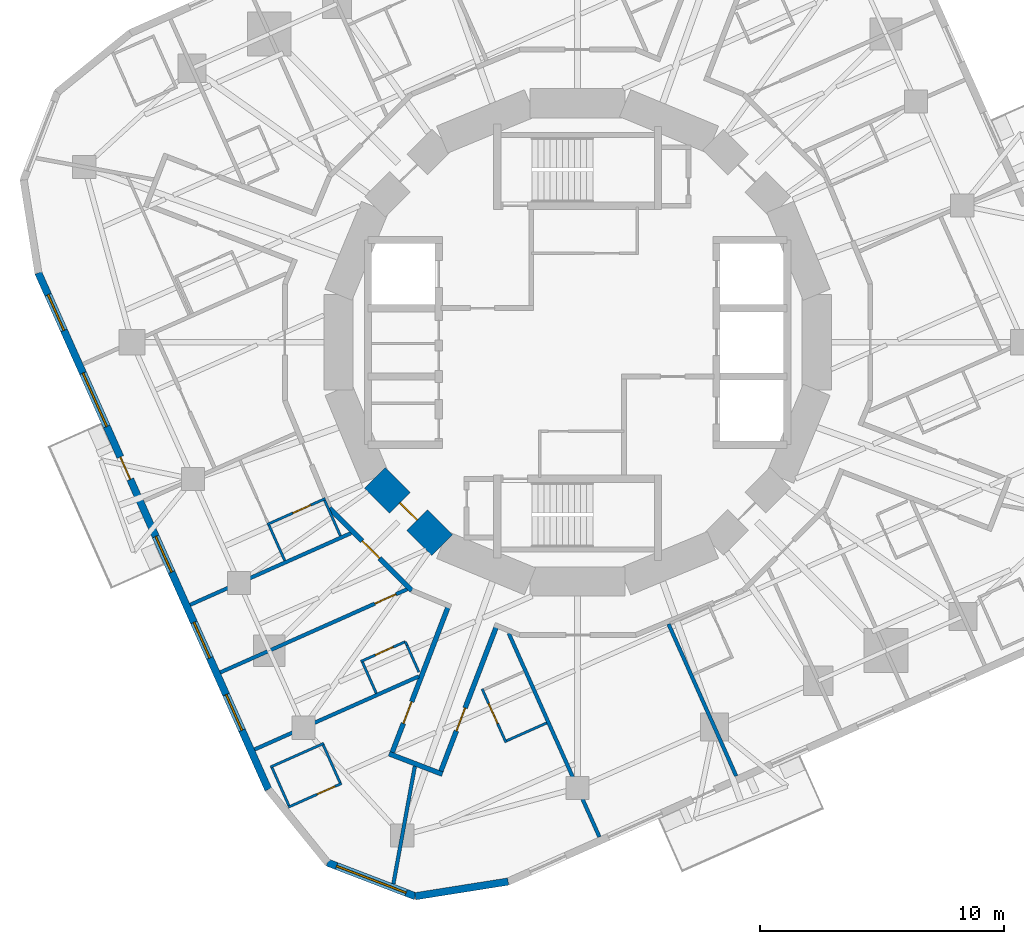
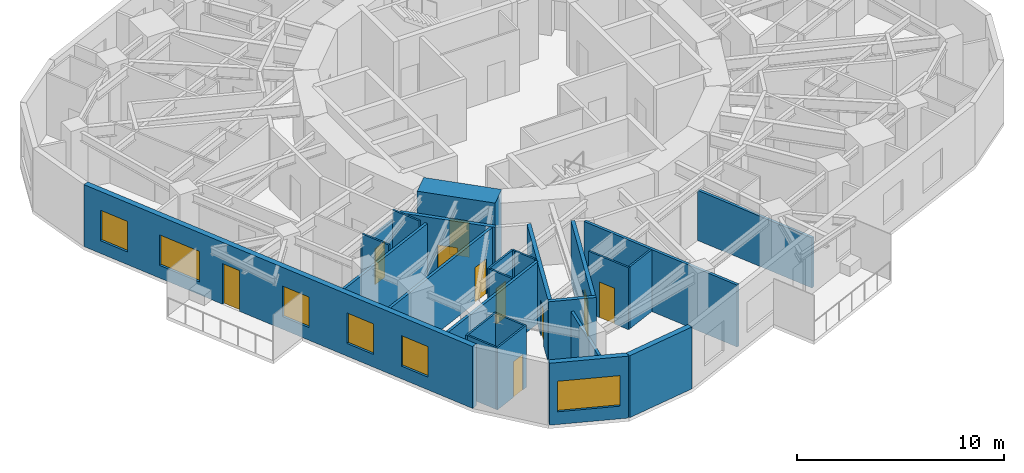
# One storey, part 4 of 12: 27 walls, 10 doors, 6 windows, 16 openings.
"""IFC4 building model written with IfcOpenShell, lengths in metres."""

from ifc_helpers import new_model, si_unit, direction, frame, frame_2d, origin, place, context, subcontext, project, spatial, rectangle, extrude, material, layer, layer_set, type_object, element, fill, save


model = new_model("IFC4")

# Units and contexts
model_context = context("Model", 3, precision=1e-05, world=origin(), true_north=direction((0.0, 1.0)))
body_context = subcontext(model_context, "Body", "Model", "MODEL_VIEW")
ifc_project = project(units=[si_unit("LENGTHUNIT", "METRE"), si_unit("AREAUNIT", "SQUARE_METRE"), si_unit("VOLUMEUNIT", "CUBIC_METRE"), si_unit("PLANEANGLEUNIT", "RADIAN"), si_unit("MASSUNIT", "GRAM", prefix="KILO")], contexts=[model_context])

# Site, building, storey
site_placement = place(None, origin())
site = spatial("IfcSite", under=ifc_project, at=site_placement, CompositionType="ELEMENT")
building_placement = place(site_placement, origin())
building = spatial("IfcBuilding", under=site, at=building_placement, Name="Nakasero Lantern House", CompositionType="ELEMENT")
storey_placement = place(building_placement, frame((0.0, 0.0, 209.39990234375)))
storey = spatial("IfcBuildingStorey", under=building, at=storey_placement, Name="L51", CompositionType="ELEMENT", Elevation=209.39990234375)

# Wall, opening, door
ifc_material_1 = material(Name="Concrete C50/60", Category="concrete")
ifc_layer_1 = layer(ifc_material_1, 1.199951171875)
ifc_layer_set_1 = layer_set([ifc_layer_1], Name="Core wall 1200")
wall_type_1 = type_object("IfcWallType", Name="Core wall 1200", PredefinedType="SHEAR", material=ifc_layer_set_1)
wall_1_placement = place(storey_placement, frame((-8.314697265625, -5.5556640625, 0.0), z_axis=(0.0, 0.0, 1.0), x_axis=(0.707106781187, -0.707106781187, 0.0)))
wall_1 = element("IfcWall", 1, at=wall_1_placement, inside=storey, type_object=wall_type_1, Name="Core wall L51 facet 10", PredefinedType="SHEAR", context=body_context, shape_type="SweptSolid", body=[
    extrude(rectangle(XDim=3.90185546875, YDim=1.199951171875, at=frame_2d((1.950927734375, 0.0))), origin(), (0.0, 0.0, 1.0), 3.85009765625),
])
opening_1_placement = place(wall_1_placement, frame((1.450927734375, 0.0, 0.0)))
opening_1 = element("IfcOpeningElement", 2, at=opening_1_placement, cuts=wall_1, Name="Opening D05", PredefinedType="OPENING", context=body_context, shape_type="SweptSolid", body=[
    extrude(rectangle(XDim=1.0, YDim=2.10009765625, at=frame_2d((0.5, 1.050048828125))), frame((0.0, 0.619873046875, 0.0), z_axis=(0.0, -1.0, 0.0), x_axis=(1.0, 0.0, 0.0)), (0.0, 0.0, 1.0), 1.239990234375),
])
ifc_material_2 = material(Name="Timber C24", Category="wood")
door_type_1 = type_object("IfcDoorType", Name="Core door FD60S 1000", OperationType="SINGLE_SWING_LEFT", PredefinedType="DOOR", material=ifc_material_2)
door_1_placement = place(opening_1_placement, origin())
door_1 = element("IfcDoor", 3, at=door_1_placement, inside=storey, type_object=door_type_1, Name="Door L51 D-CORE10", OperationType="SINGLE_SWING_LEFT", OverallHeight=2.10009765625, OverallWidth=1.0, PredefinedType="DOOR", context=body_context, shape_type="SweptSolid", body=[
    extrude(rectangle(XDim=1.0, YDim=2.10009765625, at=frame_2d((0.5, 1.050048828125))), frame((0.0, 0.02490234375, 0.0), z_axis=(0.0, -1.0, 0.0), x_axis=(1.0, 0.0, 0.0)), (0.0, 0.0, 1.0), 0.050048828125),
])
fill(opening_1, door_1)

ifc_material_3 = material(Name="Blockwork", Category="masonry")
ifc_layer_2 = layer(ifc_material_3, 0.199951171875)
ifc_layer_set_2 = layer_set([ifc_layer_2], Name="Corridor wall 200")
wall_type_2 = type_object("IfcWallType", Name="Corridor wall 200", PredefinedType="PARTITIONING", material=ifc_layer_set_2)
wall_2_placement = place(storey_placement, frame((-6.802001953125, -10.1796875, 0.0), z_axis=(0.0, 0.0, 1.0), x_axis=(-0.707106781187, 0.707106781187, 0.0)))
wall_2 = element("IfcWall", 4, at=wall_2_placement, inside=storey, type_object=wall_type_2, Name="Corridor wall L51 RC06a", PredefinedType="PARTITIONING", context=body_context, shape_type="SweptSolid", body=[
    extrude(rectangle(XDim=4.77685546875, YDim=0.199951171875, at=frame_2d((2.388427734375, 0.0))), origin(), (0.0, 0.0, 1.0), 3.650146484375),
])
opening_2_placement = place(wall_2_placement, frame((1.8701171875, 0.0, 0.0)))
opening_2 = element("IfcOpeningElement", 5, at=opening_2_placement, cuts=wall_2, Name="Opening D14", PredefinedType="OPENING", context=body_context, shape_type="SweptSolid", body=[
    extrude(rectangle(XDim=1.0, YDim=2.10009765625, at=frame_2d((0.5, 1.050048828125))), frame((0.0, 0.119873046875, 0.0), z_axis=(0.0, -1.0, 0.0), x_axis=(1.0, 0.0, 0.0)), (0.0, 0.0, 1.0), 0.239990234375),
])
ifc_material_4 = material(Name="Timber C24", Category="wood")
door_type_2 = type_object("IfcDoorType", Name="Cluster entrance door FD30S 1000", OperationType="SINGLE_SWING_LEFT", PredefinedType="DOOR", material=ifc_material_4)
door_2_placement = place(opening_2_placement, origin())
door_2 = element("IfcDoor", 6, at=door_2_placement, inside=storey, type_object=door_type_2, Name="Door L51 D2-04", OperationType="SINGLE_SWING_LEFT", OverallHeight=2.10009765625, OverallWidth=1.0, PredefinedType="DOOR", context=body_context, shape_type="SweptSolid", body=[
    extrude(rectangle(XDim=1.0, YDim=2.10009765625, at=frame_2d((0.5, 1.050048828125))), frame((0.0, 0.02490234375, 0.0), z_axis=(0.0, -1.0, 0.0), x_axis=(1.0, 0.0, 0.0)), (0.0, 0.0, 1.0), 0.050048828125),
])
fill(opening_2, door_2)

wall_3_placement = place(storey_placement, frame((-5.293701171875, -10.804443359375, 0.0), z_axis=(0.0, 0.0, 1.0), x_axis=(-0.358353547616, -0.933585954752, 0.0)))
wall_3 = element("IfcWall", 7, at=wall_3_placement, inside=storey, type_object=wall_type_2, Name="Corridor wall L51 SP2a", PredefinedType="PARTITIONING", context=body_context, shape_type="SweptSolid", body=[
    extrude(rectangle(XDim=6.643798828125, YDim=0.199951171875, at=frame_2d((3.32177734375, 0.0))), origin(), (0.0, 0.0, 1.0), 3.650146484375),
])
opening_3_placement = place(wall_3_placement, frame((4.219970703125, 0.0, 0.0)))
opening_3 = element("IfcOpeningElement", 8, at=opening_3_placement, cuts=wall_3, Name="Opening D01", PredefinedType="OPENING", context=body_context, shape_type="SweptSolid", body=[
    extrude(rectangle(XDim=0.949951171875, YDim=2.10009765625, at=frame_2d((0.47509765625, 1.050048828125))), frame((0.0, 0.119873046875, 0.0), z_axis=(0.0, -1.0, 0.0), x_axis=(1.0, 0.0, 0.0)), (0.0, 0.0, 1.0), 0.239990234375),
])
ifc_material_5 = material(Name="Timber C24", Category="wood")
door_type_3 = type_object("IfcDoorType", Name="Bedroom door FD30S 950", OperationType="SINGLE_SWING_LEFT", PredefinedType="DOOR", material=ifc_material_5)
door_3_placement = place(opening_3_placement, origin())
door_3 = element("IfcDoor", 9, at=door_3_placement, inside=storey, type_object=door_type_3, Name="Door L51 D2-06", OperationType="SINGLE_SWING_RIGHT", OverallHeight=2.10009765625, OverallWidth=0.949951171875, PredefinedType="DOOR", context=body_context, shape_type="SweptSolid", body=[
    extrude(rectangle(XDim=0.949951171875, YDim=2.10009765625, at=frame_2d((0.47509765625, 1.050048828125))), frame((0.0, 0.02490234375, 0.0), z_axis=(0.0, -1.0, 0.0), x_axis=(1.0, 0.0, 0.0)), (0.0, 0.0, 1.0), 0.050048828125),
])
fill(opening_3, door_3)

wall_4_placement = place(storey_placement, frame((-3.31591796875, -11.623779296875, 0.0), z_axis=(0.0, 0.0, 1.0), x_axis=(-0.358370568903, -0.933579421016, 0.0)))
wall_4 = element("IfcWall", 10, at=wall_4_placement, inside=storey, type_object=wall_type_2, Name="Corridor wall L51 SP2b", PredefinedType="PARTITIONING", context=body_context, shape_type="SweptSolid", body=[
    extrude(rectangle(XDim=6.587646484375, YDim=0.199951171875, at=frame_2d((3.2939453125, 0.0))), origin(), (0.0, 0.0, 1.0), 3.650146484375),
])
opening_4_placement = place(wall_4_placement, frame((3.6201171875, 0.0, 0.0)))
opening_4 = element("IfcOpeningElement", 11, at=opening_4_placement, cuts=wall_4, Name="Opening D07", PredefinedType="OPENING", context=body_context, shape_type="SweptSolid", body=[
    extrude(rectangle(XDim=1.0, YDim=2.10009765625, at=frame_2d((0.5, 1.050048828125))), frame((0.0, 0.119873046875, 0.0), z_axis=(0.0, -1.0, 0.0), x_axis=(1.0, 0.0, 0.0)), (0.0, 0.0, 1.0), 0.239990234375),
])
ifc_material_6 = material(Name="Timber C24", Category="wood")
door_type_4 = type_object("IfcDoorType", Name="Room door FD30S 1000", OperationType="SINGLE_SWING_LEFT", PredefinedType="DOOR", material=ifc_material_6)
door_4_placement = place(opening_4_placement, origin())
door_4 = element("IfcDoor", 12, at=door_4_placement, inside=storey, type_object=door_type_4, Name="Door L51 D3-00", OperationType="SINGLE_SWING_RIGHT", OverallHeight=2.10009765625, OverallWidth=1.0, PredefinedType="DOOR", context=body_context, shape_type="SweptSolid", body=[
    extrude(rectangle(XDim=1.0, YDim=2.10009765625, at=frame_2d((0.5, 1.050048828125))), frame((0.0, 0.02490234375, 0.0), z_axis=(0.0, -1.0, 0.0), x_axis=(1.0, 0.0, 0.0)), (0.0, 0.0, 1.0), 0.050048828125),
])
fill(opening_4, door_4)

# Wall
wall_5_placement = place(storey_placement, frame((-7.73193359375, -16.8779296875, 0.0), z_axis=(0.0, 0.0, 1.0), x_axis=(0.933573982139, -0.35838473722, 0.0)))
element("IfcWall", 13, at=wall_5_placement, inside=storey, type_object=wall_type_2, Name="Corridor wall L51 SP2e", PredefinedType="PARTITIONING", context=body_context, shape_type="SweptSolid", body=[
    extrude(rectangle(XDim=2.340087890625, YDim=0.199951171875, at=frame_2d((1.169921875, 0.0))), origin(), (0.0, 0.0, 1.0), 3.650146484375),
])

# Wall, opening, door
ifc_material_7 = material(Name="Blockwork", Category="masonry")
ifc_layer_3 = layer(ifc_material_7, 0.10009765625)
ifc_layer_set_3 = layer_set([ifc_layer_3], Name="En-suite wall 100")
wall_type_3 = type_object("IfcWallType", Name="En-suite wall 100", PredefinedType="PARTITIONING", material=ifc_layer_set_3)
wall_6_placement = place(storey_placement, frame((-10.353515625, -6.4130859375, 0.0), z_axis=(0.0, 0.0, 1.0), x_axis=(-0.913567433554, -0.406687280781, 0.0)))
wall_6 = element("IfcWall", 14, at=wall_6_placement, inside=storey, type_object=wall_type_3, Name="En-suite wall L51 ES2-03", PredefinedType="PARTITIONING", context=body_context, shape_type="SweptSolid", body=[
    extrude(rectangle(XDim=2.599853515625, YDim=0.10009765625, at=frame_2d((1.2998046875, 0.0))), origin(), (0.0, 0.0, 1.0), 3.037841796875),
])
opening_5_placement = place(wall_6_placement, frame((0.64990234375, 0.0, 0.0)))
opening_5 = element("IfcOpeningElement", 15, at=opening_5_placement, cuts=wall_6, Name="Opening D02", PredefinedType="OPENING", context=body_context, shape_type="SweptSolid", body=[
    extrude(rectangle(XDim=0.800048828125, YDim=2.10009765625, at=frame_2d((0.39990234375, 1.050048828125))), frame((0.0, 0.070068359375, 0.0), z_axis=(0.0, -1.0, 0.0), x_axis=(1.0, 0.0, 0.0)), (0.0, 0.0, 1.0), 0.14013671875),
])
ifc_material_8 = material(Name="Timber C24", Category="wood")
door_type_5 = type_object("IfcDoorType", Name="En-suite door 800", OperationType="SINGLE_SWING_RIGHT", PredefinedType="DOOR", material=ifc_material_8)
door_5_placement = place(opening_5_placement, origin())
door_5 = element("IfcDoor", 16, at=door_5_placement, inside=storey, type_object=door_type_5, Name="Door L51 DE2-03", OperationType="SINGLE_SWING_LEFT", OverallHeight=2.10009765625, OverallWidth=0.800048828125, PredefinedType="DOOR", context=body_context, shape_type="SweptSolid", body=[
    extrude(rectangle(XDim=0.800048828125, YDim=2.10009765625, at=frame_2d((0.39990234375, 1.050048828125))), frame((0.0, 0.02490234375, 0.0), z_axis=(0.0, -1.0, 0.0), x_axis=(1.0, 0.0, 0.0)), (0.0, 0.0, 1.0), 0.050048828125),
])
fill(opening_5, door_5)

# Walls
for number, where, z_axis, x_axis, name in (
    (17, (-12.66259765625, -7.495849609375, 0.0), (0.0, 0.0, 1.0), (0.406662251972, -0.913578575067, 0.0), "En-suite wall L51 EE2-03"),
    (18, (-10.378662109375, -6.47900390625, 0.0), (0.0, 0.0, 1.0), (0.406662251972, -0.913578575067, 0.0), "En-suite wall L51 EI2-03"),
):
    element("IfcWall", number, at=place(storey_placement, frame(where, z_axis=z_axis, x_axis=x_axis)), inside=storey, type_object=wall_type_3, Name=name, PredefinedType="PARTITIONING", context=body_context, shape_type="SweptSolid", body=[
        extrude(rectangle(XDim=1.599853515625, YDim=0.10009765625, at=frame_2d((0.7998046875, 0.0))), origin(), (0.0, 0.0, 1.0), 3.650146484375),
    ])

# Wall, opening, door
wall_7_placement = place(storey_placement, frame((-7.0654296875, -12.280029296875, 0.0), z_axis=(0.0, 0.0, 1.0), x_axis=(-0.913529410294, -0.406772684097, 0.0)))
wall_7 = element("IfcWall", 19, at=wall_7_placement, inside=storey, type_object=wall_type_3, Name="En-suite wall L51 ES2-05", PredefinedType="PARTITIONING", context=body_context, shape_type="SweptSolid", body=[
    extrude(rectangle(XDim=1.999755859375, YDim=0.10009765625, at=frame_2d((1.0, 0.0))), origin(), (0.0, 0.0, 1.0), 3.650146484375),
])
opening_6_placement = place(wall_7_placement, frame((0.550048828125, 0.0, 0.0)))
opening_6 = element("IfcOpeningElement", 20, at=opening_6_placement, cuts=wall_7, Name="Opening D02", PredefinedType="OPENING", context=body_context, shape_type="SweptSolid", body=[
    extrude(rectangle(XDim=0.800048828125, YDim=2.10009765625, at=frame_2d((0.39990234375, 1.050048828125))), frame((0.0, 0.070068359375, 0.0), z_axis=(0.0, -1.0, 0.0), x_axis=(1.0, 0.0, 0.0)), (0.0, 0.0, 1.0), 0.14013671875),
])
door_6_placement = place(opening_6_placement, origin())
door_6 = element("IfcDoor", 21, at=door_6_placement, inside=storey, type_object=door_type_5, Name="Door L51 DE2-05", OperationType="SINGLE_SWING_LEFT", OverallHeight=2.10009765625, OverallWidth=0.800048828125, PredefinedType="DOOR", context=body_context, shape_type="SweptSolid", body=[
    extrude(rectangle(XDim=0.800048828125, YDim=2.10009765625, at=frame_2d((0.39990234375, 1.050048828125))), frame((0.0, 0.02490234375, 0.0), z_axis=(0.0, -1.0, 0.0), x_axis=(1.0, 0.0, 0.0)), (0.0, 0.0, 1.0), 0.050048828125),
])
fill(opening_6, door_6)

# Wall
wall_8_placement = place(storey_placement, frame((-8.826416015625, -13.118896484375, 0.0), z_axis=(0.0, 0.0, 1.0), x_axis=(0.406656150203, -0.91358129113, 0.0)))
element("IfcWall", 22, at=wall_8_placement, inside=storey, type_object=wall_type_3, Name="En-suite wall L51 EE2-05", PredefinedType="PARTITIONING", context=body_context, shape_type="SweptSolid", body=[
    extrude(rectangle(XDim=1.400146484375, YDim=0.10009765625, at=frame_2d((0.7001953125, 0.0))), origin(), (0.0, 0.0, 1.0), 3.650146484375),
])

# Wall, opening, door
wall_9_placement = place(storey_placement, frame((-9.676025390625, -18.0947265625, 0.0), z_axis=(0.0, 0.0, 1.0), x_axis=(-0.913568090055, -0.406685806039, 0.0)))
wall_9 = element("IfcWall", 23, at=wall_9_placement, inside=storey, type_object=wall_type_3, Name="En-suite wall L51 ES2-06", PredefinedType="PARTITIONING", context=body_context, shape_type="SweptSolid", body=[
    extrude(rectangle(XDim=2.400146484375, YDim=0.10009765625, at=frame_2d((1.2001953125, 0.0))), origin(), (0.0, 0.0, 1.0), 3.650146484375),
])
opening_7_placement = place(wall_9_placement, frame((0.300048828125, 0.0, 0.0)))
opening_7 = element("IfcOpeningElement", 24, at=opening_7_placement, cuts=wall_9, Name="Opening D02", PredefinedType="OPENING", context=body_context, shape_type="SweptSolid", body=[
    extrude(rectangle(XDim=0.800048828125, YDim=2.10009765625, at=frame_2d((0.39990234375, 1.050048828125))), frame((0.0, 0.070068359375, 0.0), z_axis=(0.0, -1.0, 0.0), x_axis=(1.0, 0.0, 0.0)), (0.0, 0.0, 1.0), 0.14013671875),
])
door_7_placement = place(opening_7_placement, origin())
door_7 = element("IfcDoor", 25, at=door_7_placement, inside=storey, type_object=door_type_5, Name="Door L51 DE2-06", OperationType="SINGLE_SWING_LEFT", OverallHeight=2.10009765625, OverallWidth=0.800048828125, PredefinedType="DOOR", context=body_context, shape_type="SweptSolid", body=[
    extrude(rectangle(XDim=0.800048828125, YDim=2.10009765625, at=frame_2d((0.39990234375, 1.050048828125))), frame((0.0, 0.02490234375, 0.0), z_axis=(0.0, -1.0, 0.0), x_axis=(1.0, 0.0, 0.0)), (0.0, 0.0, 1.0), 0.050048828125),
])
fill(opening_7, door_7)

# Walls
wall_10_placement = place(storey_placement, frame((-10.408203125, -16.4501953125, 0.0), z_axis=(0.0, 0.0, 1.0), x_axis=(-0.913513461389, -0.406808500233, 0.0)))
element("IfcWall", 26, at=wall_10_placement, inside=storey, type_object=wall_type_3, Name="En-suite wall L51 EV2-06", PredefinedType="PARTITIONING", context=body_context, shape_type="SweptSolid", body=[
    extrude(rectangle(XDim=2.39990234375, YDim=0.10009765625, at=frame_2d((1.199951171875, 0.0))), origin(), (0.0, 0.0, 1.0), 3.650146484375),
])
wall_11_placement = place(storey_placement, frame((-12.53466796875, -17.45166015625, 0.0), z_axis=(0.0, 0.0, 1.0), x_axis=(0.406671340378, -0.91357452948, 0.0)))
element("IfcWall", 27, at=wall_11_placement, inside=storey, type_object=wall_type_3, Name="En-suite wall L51 EE2-06", PredefinedType="PARTITIONING", context=body_context, shape_type="SweptSolid", body=[
    extrude(rectangle(XDim=1.7001953125, YDim=0.10009765625, at=frame_2d((0.85009765625, 0.0))), origin(), (0.0, 0.0, 1.0), 3.650146484375),
])
wall_12_placement = place(storey_placement, frame((-10.43359375, -16.516357421875, 0.0), z_axis=(0.0, 0.0, 1.0), x_axis=(0.406724697108, -0.913550776237, 0.0)))
element("IfcWall", 28, at=wall_12_placement, inside=storey, type_object=wall_type_3, Name="En-suite wall L51 EI2-06", PredefinedType="PARTITIONING", context=body_context, shape_type="SweptSolid", body=[
    extrude(rectangle(XDim=1.699951171875, YDim=0.10009765625, at=frame_2d((0.85009765625, 0.0))), origin(), (0.0, 0.0, 1.0), 3.650146484375),
])

# Wall, opening, door
wall_13_placement = place(storey_placement, frame((-3.914306640625, -14.2216796875, 0.0), z_axis=(0.0, 0.0, 1.0), x_axis=(0.406723602621, -0.913551263516, 0.0)))
wall_13 = element("IfcWall", 29, at=wall_13_placement, inside=storey, type_object=wall_type_3, Name="En-suite wall L51 ES3-00", PredefinedType="PARTITIONING", context=body_context, shape_type="SweptSolid", body=[
    extrude(rectangle(XDim=2.39990234375, YDim=0.10009765625, at=frame_2d((1.199951171875, 0.0))), origin(), (0.0, 0.0, 1.0), 3.650146484375),
])
opening_8_placement = place(wall_13_placement, frame((0.64990234375, 0.0, 0.0)))
opening_8 = element("IfcOpeningElement", 30, at=opening_8_placement, cuts=wall_13, Name="Opening D16", PredefinedType="OPENING", context=body_context, shape_type="SweptSolid", body=[
    extrude(rectangle(XDim=0.89990234375, YDim=2.10009765625, at=frame_2d((0.449951171875, 1.050048828125))), frame((0.0, 0.070068359375, 0.0), z_axis=(0.0, -1.0, 0.0), x_axis=(1.0, 0.0, 0.0)), (0.0, 0.0, 1.0), 0.14013671875),
])
ifc_material_9 = material(Name="Timber C24", Category="wood")
door_type_6 = type_object("IfcDoorType", Name="Accessible WC door 900", OperationType="SINGLE_SWING_RIGHT", PredefinedType="DOOR", material=ifc_material_9)
door_8_placement = place(opening_8_placement, origin())
door_8 = element("IfcDoor", 31, at=door_8_placement, inside=storey, type_object=door_type_6, Name="Door L51 DE3-00", OperationType="SINGLE_SWING_LEFT", OverallHeight=2.10009765625, OverallWidth=0.89990234375, PredefinedType="DOOR", context=body_context, shape_type="SweptSolid", body=[
    extrude(rectangle(XDim=0.89990234375, YDim=2.10009765625, at=frame_2d((0.449951171875, 1.050048828125))), frame((0.0, 0.02490234375, 0.0), z_axis=(0.0, -1.0, 0.0), x_axis=(1.0, 0.0, 0.0)), (0.0, 0.0, 1.0), 0.050048828125),
])
fill(opening_8, door_8)

# Walls
wall_14_placement = place(storey_placement, frame((-2.912841796875, -16.34814453125, 0.0), z_axis=(0.0, 0.0, 1.0), x_axis=(0.913548502595, 0.406729803932, 0.0)))
element("IfcWall", 32, at=wall_14_placement, inside=storey, type_object=wall_type_3, Name="En-suite wall L51 EE3-00", PredefinedType="PARTITIONING", context=body_context, shape_type="SweptSolid", body=[
    extrude(rectangle(XDim=1.800048828125, YDim=0.10009765625, at=frame_2d((0.89990234375, 0.0))), origin(), (0.0, 0.0, 1.0), 3.650146484375),
])
wall_15_placement = place(storey_placement, frame((-6.510009765625, -13.527099609375, 0.0), z_axis=(0.0, 0.0, 1.0), x_axis=(-0.406815070933, 0.913510535277, 0.0)))
element("IfcWall", 33, at=wall_15_placement, inside=storey, type_object=wall_type_3, Name="En-suite wall L51 EX002", PredefinedType="PARTITIONING", context=body_context, shape_type="SweptSolid", body=[
    extrude(rectangle(XDim=1.205078125, YDim=0.10009765625, at=frame_2d((0.6025390625, 0.0))), origin(), (0.0, 0.0, 1.0), 3.650146484375),
])
wall_16_placement = place(storey_placement, frame((-7.0654296875, -12.280029296875, 0.0), z_axis=(0.0, 0.0, 1.0), x_axis=(0.407128578538, -0.913370855971, 0.0)))
element("IfcWall", 34, at=wall_16_placement, inside=storey, type_object=wall_type_3, Name="En-suite wall L51 ES2-05R0", PredefinedType="PARTITIONING", context=body_context, shape_type="SweptSolid", body=[
    extrude(rectangle(XDim=0.16015625, YDim=0.10009765625, at=frame_2d((0.080078125, 0.0))), origin(), (0.0, 0.0, 1.0), 3.650146484375),
])

# Wall, openings, door, windows
ifc_material_10 = material(Name="Aluminium rainscreen on blockwork", Category="masonry")
ifc_layer_4 = layer(ifc_material_10, 0.300048828125)
ifc_layer_set_4 = layer_set([ifc_layer_4], Name="Facade wall 300")
wall_type_4 = type_object("IfcWallType", Name="Facade wall 300", PredefinedType="SOLIDWALL", material=ifc_layer_set_4)
wall_17_placement = place(storey_placement, frame((-22.12109375, 2.848876953125, 0.0), z_axis=(0.0, 0.0, 1.0), x_axis=(0.406734951338, -0.913546210851, 0.0)))
wall_17 = element("IfcWall", 35, at=wall_17_placement, inside=storey, type_object=wall_type_4, Name="Facade wall L51 FW2S", PredefinedType="SOLIDWALL", context=body_context, shape_type="SweptSolid", body=[
    extrude(rectangle(XDim=23.199951171875, YDim=0.300048828125, at=frame_2d((11.60009765625, 0.0))), origin(), (0.0, 0.0, 1.0), 3.650146484375),
])
opening_9_placement = place(wall_17_placement, frame((0.982421875, 0.0, 0.75)))
opening_9 = element("IfcOpeningElement", 36, at=opening_9_placement, cuts=wall_17, Name="Opening W01", PredefinedType="OPENING", context=body_context, shape_type="SweptSolid", body=[
    extrude(rectangle(XDim=1.60009765625, YDim=1.800048828125, at=frame_2d((0.800048828125, 0.89990234375))), frame((0.0, 0.169921875, 0.0), z_axis=(0.0, -1.0, 0.0), x_axis=(1.0, 0.0, 0.0)), (0.0, 0.0, 1.0), 0.340087890625),
])
opening_10_placement = place(wall_17_placement, frame((11.83984375, 0.0, 0.75)))
opening_10 = element("IfcOpeningElement", 37, at=opening_10_placement, cuts=wall_17, Name="Opening W01", PredefinedType="OPENING", context=body_context, shape_type="SweptSolid", body=[
    extrude(rectangle(XDim=1.60009765625, YDim=1.800048828125, at=frame_2d((0.800048828125, 0.89990234375))), frame((0.0, 0.169921875, 0.0), z_axis=(0.0, -1.0, 0.0), x_axis=(1.0, 0.0, 0.0)), (0.0, 0.0, 1.0), 0.340087890625),
])
opening_11_placement = place(wall_17_placement, frame((15.69140625, 0.0, 0.75)))
opening_11 = element("IfcOpeningElement", 38, at=opening_11_placement, cuts=wall_17, Name="Opening W01", PredefinedType="OPENING", context=body_context, shape_type="SweptSolid", body=[
    extrude(rectangle(XDim=1.60009765625, YDim=1.800048828125, at=frame_2d((0.800048828125, 0.89990234375))), frame((0.0, 0.169921875, 0.0), z_axis=(0.0, -1.0, 0.0), x_axis=(1.0, 0.0, 0.0)), (0.0, 0.0, 1.0), 0.340087890625),
])
opening_12_placement = place(wall_17_placement, frame((18.940185546875, 0.0, 0.75)))
opening_12 = element("IfcOpeningElement", 39, at=opening_12_placement, cuts=wall_17, Name="Opening W01", PredefinedType="OPENING", context=body_context, shape_type="SweptSolid", body=[
    extrude(rectangle(XDim=1.60009765625, YDim=1.800048828125, at=frame_2d((0.800048828125, 0.89990234375))), frame((0.0, 0.169921875, 0.0), z_axis=(0.0, -1.0, 0.0), x_axis=(1.0, 0.0, 0.0)), (0.0, 0.0, 1.0), 0.340087890625),
])
opening_13_placement = place(wall_17_placement, frame((4.500244140625, 0.0, 0.75)))
opening_13 = element("IfcOpeningElement", 40, at=opening_13_placement, cuts=wall_17, Name="Opening W03", PredefinedType="OPENING", context=body_context, shape_type="SweptSolid", body=[
    extrude(rectangle(XDim=2.39990234375, YDim=1.800048828125, at=frame_2d((1.199951171875, 0.89990234375))), frame((0.0, 0.169921875, 0.0), z_axis=(0.0, -1.0, 0.0), x_axis=(1.0, 0.0, 0.0)), (0.0, 0.0, 1.0), 0.340087890625),
])
opening_14_placement = place(wall_17_placement, frame((8.271484375, 0.0, 0.0)))
opening_14 = element("IfcOpeningElement", 41, at=opening_14_placement, cuts=wall_17, Name="Opening D04", PredefinedType="OPENING", context=body_context, shape_type="SweptSolid", body=[
    extrude(rectangle(XDim=1.0, YDim=2.39990234375, at=frame_2d((0.5, 1.199951171875))), frame((0.0, 0.169921875, 0.0), z_axis=(0.0, -1.0, 0.0), x_axis=(1.0, 0.0, 0.0)), (0.0, 0.0, 1.0), 0.340087890625),
])
ifc_material_11 = material(Name="Aluminium 6063-T6 and glass", Category="aluminium")
door_type_7 = type_object("IfcDoorType", Name="Balcony door 1000x2400", OperationType="SINGLE_SWING_RIGHT", PredefinedType="DOOR", material=ifc_material_11)
door_9_placement = place(opening_14_placement, origin())
door_9 = element("IfcDoor", 42, at=door_9_placement, inside=storey, type_object=door_type_7, Name="Balcony door L51 DB2", OperationType="SINGLE_SWING_RIGHT", OverallHeight=2.39990234375, OverallWidth=1.0, PredefinedType="DOOR", context=body_context, shape_type="SweptSolid", body=[
    extrude(rectangle(XDim=1.0, YDim=2.39990234375, at=frame_2d((0.5, 1.199951171875))), frame((0.0, 0.02490234375, 0.0), z_axis=(0.0, -1.0, 0.0), x_axis=(1.0, 0.0, 0.0)), (0.0, 0.0, 1.0), 0.050048828125),
])
fill(opening_14, door_9)
ifc_material_12 = material(Name="Aluminium 6063-T6 and glass", Category="aluminium")
window_type_1 = type_object("IfcWindowType", Name="Bedroom window 1600x1800", PartitioningType="SINGLE_PANEL", PredefinedType="WINDOW", material=ifc_material_12)
window_1_placement = place(opening_9_placement, origin())
window_1 = element("IfcWindow", 43, at=window_1_placement, inside=storey, type_object=window_type_1, Name="Window L51 WN2-00", OverallHeight=1.800048828125, OverallWidth=1.60009765625, PartitioningType="SINGLE_PANEL", PredefinedType="WINDOW", context=body_context, shape_type="SweptSolid", body=[
    extrude(rectangle(XDim=1.60009765625, YDim=1.800048828125, at=frame_2d((0.800048828125, 0.89990234375))), frame((0.0, 0.030029296875, 0.0), z_axis=(0.0, -1.0, 0.0), x_axis=(1.0, 0.0, 0.0)), (0.0, 0.0, 1.0), 0.06005859375),
])
fill(opening_9, window_1)
window_2_placement = place(opening_10_placement, origin())
window_2 = element("IfcWindow", 44, at=window_2_placement, inside=storey, type_object=window_type_1, Name="Window L51 WN2-03", OverallHeight=1.800048828125, OverallWidth=1.60009765625, PartitioningType="SINGLE_PANEL", PredefinedType="WINDOW", context=body_context, shape_type="SweptSolid", body=[
    extrude(rectangle(XDim=1.60009765625, YDim=1.800048828125, at=frame_2d((0.800048828125, 0.89990234375))), frame((0.0, 0.030029296875, 0.0), z_axis=(0.0, -1.0, 0.0), x_axis=(1.0, 0.0, 0.0)), (0.0, 0.0, 1.0), 0.06005859375),
])
fill(opening_10, window_2)
window_3_placement = place(opening_11_placement, origin())
window_3 = element("IfcWindow", 45, at=window_3_placement, inside=storey, type_object=window_type_1, Name="Window L51 WN2-04", OverallHeight=1.800048828125, OverallWidth=1.60009765625, PartitioningType="SINGLE_PANEL", PredefinedType="WINDOW", context=body_context, shape_type="SweptSolid", body=[
    extrude(rectangle(XDim=1.60009765625, YDim=1.800048828125, at=frame_2d((0.800048828125, 0.89990234375))), frame((0.0, 0.030029296875, 0.0), z_axis=(0.0, -1.0, 0.0), x_axis=(1.0, 0.0, 0.0)), (0.0, 0.0, 1.0), 0.06005859375),
])
fill(opening_11, window_3)
window_4_placement = place(opening_12_placement, origin())
window_4 = element("IfcWindow", 46, at=window_4_placement, inside=storey, type_object=window_type_1, Name="Window L51 WN2-05", OverallHeight=1.800048828125, OverallWidth=1.60009765625, PartitioningType="SINGLE_PANEL", PredefinedType="WINDOW", context=body_context, shape_type="SweptSolid", body=[
    extrude(rectangle(XDim=1.60009765625, YDim=1.800048828125, at=frame_2d((0.800048828125, 0.89990234375))), frame((0.0, 0.030029296875, 0.0), z_axis=(0.0, -1.0, 0.0), x_axis=(1.0, 0.0, 0.0)), (0.0, 0.0, 1.0), 0.06005859375),
])
fill(opening_12, window_4)
ifc_material_13 = material(Name="Aluminium 6063-T6 and glass", Category="aluminium")
window_type_2 = type_object("IfcWindowType", Name="Lounge window 2400x1800", PartitioningType="SINGLE_PANEL", PredefinedType="WINDOW", material=ifc_material_13)
window_5_placement = place(opening_13_placement, origin())
window_5 = element("IfcWindow", 47, at=window_5_placement, inside=storey, type_object=window_type_2, Name="Window L51 WK2", OverallHeight=1.800048828125, OverallWidth=2.39990234375, PartitioningType="SINGLE_PANEL", PredefinedType="WINDOW", context=body_context, shape_type="SweptSolid", body=[
    extrude(rectangle(XDim=2.39990234375, YDim=1.800048828125, at=frame_2d((1.199951171875, 0.89990234375))), frame((0.0, 0.030029296875, 0.0), z_axis=(0.0, -1.0, 0.0), x_axis=(1.0, 0.0, 0.0)), (0.0, 0.0, 1.0), 0.06005859375),
])
fill(opening_13, window_5)

# Wall, opening, window
wall_18_placement = place(storey_placement, frame((-10.258056640625, -21.342529296875, 0.0), z_axis=(0.0, 0.0, 1.0), x_axis=(0.933598278948, -0.358321438858, 0.0)))
wall_18 = element("IfcWall", 48, at=wall_18_placement, inside=storey, type_object=wall_type_4, Name="Facade wall L51 FW2C2", PredefinedType="SOLIDWALL", context=body_context, shape_type="SweptSolid", body=[
    extrude(rectangle(XDim=3.8564453125, YDim=0.300048828125, at=frame_2d((1.92822265625, 0.0))), origin(), (0.0, 0.0, 1.0), 3.650146484375),
])
opening_15_placement = place(wall_18_placement, frame((0.39990234375, 0.0, 0.75)))
opening_15 = element("IfcOpeningElement", 49, at=opening_15_placement, cuts=wall_18, Name="Opening W230", PredefinedType="OPENING", context=body_context, shape_type="SweptSolid", body=[
    extrude(rectangle(XDim=3.055908203125, YDim=1.800048828125, at=frame_2d((1.52783203125, 0.89990234375))), frame((0.0, 0.169921875, 0.0), z_axis=(0.0, -1.0, 0.0), x_axis=(1.0, 0.0, 0.0)), (0.0, 0.0, 1.0), 0.340087890625),
])
ifc_material_14 = material(Name="Aluminium 6063-T6 and glass", Category="aluminium")
window_type_3 = type_object("IfcWindowType", Name="Corner window 3056x1800", PartitioningType="SINGLE_PANEL", PredefinedType="WINDOW", material=ifc_material_14)
window_6_placement = place(opening_15_placement, origin())
window_6 = element("IfcWindow", 50, at=window_6_placement, inside=storey, type_object=window_type_3, Name="Window L51 WC2", OverallHeight=1.800048828125, OverallWidth=3.055908203125, PartitioningType="SINGLE_PANEL", PredefinedType="WINDOW", context=body_context, shape_type="SweptSolid", body=[
    extrude(rectangle(XDim=3.055908203125, YDim=1.800048828125, at=frame_2d((1.52783203125, 0.89990234375))), frame((0.0, 0.030029296875, 0.0), z_axis=(0.0, -1.0, 0.0), x_axis=(1.0, 0.0, 0.0)), (0.0, 0.0, 1.0), 0.06005859375),
])
fill(opening_15, window_6)

# Walls
wall_19_placement = place(storey_placement, frame((-6.65771484375, -22.724365234375, 0.0), z_axis=(0.0, 0.0, 1.0), x_axis=(0.987687906802, 0.156437203878, 0.0)))
element("IfcWall", 51, at=wall_19_placement, inside=storey, type_object=wall_type_4, Name="Facade wall L51 FW2C3", PredefinedType="SOLIDWALL", context=body_context, shape_type="SweptSolid", body=[
    extrude(rectangle(XDim=3.856201171875, YDim=0.300048828125, at=frame_2d((1.92822265625, 0.0))), origin(), (0.0, 0.0, 1.0), 3.650146484375),
])
ifc_material_15 = material(Name="Blockwork", Category="masonry")
ifc_layer_5 = layer(ifc_material_15, 0.14990234375)
ifc_layer_set_5 = layer_set([ifc_layer_5], Name="Party wall 150")
wall_type_5 = type_object("IfcWallType", Name="Party wall 150", PredefinedType="PARTITIONING", material=ifc_layer_set_5)
wall_20_placement = place(storey_placement, frame((-9.293701171875, -7.829345703125, 0.0), z_axis=(0.0, 0.0, 1.0), x_axis=(-0.913535447493, -0.406759125496, 0.0)))
element("IfcWall", 52, at=wall_20_placement, inside=storey, type_object=wall_type_5, Name="Party wall L51 PW2-04", PredefinedType="PARTITIONING", context=body_context, shape_type="SweptSolid", body=[
    extrude(rectangle(XDim=7.225341796875, YDim=0.14990234375, at=frame_2d((3.61279296875, 0.0))), origin(), (0.0, 0.0, 1.0), 3.295166015625),
])

# Wall, opening, door
wall_21_placement = place(storey_placement, frame((-6.99267578125, -10.130615234375, 0.0), z_axis=(0.0, 0.0, 1.0), x_axis=(-0.913547411288, -0.406732255089, 0.0)))
wall_21 = element("IfcWall", 53, at=wall_21_placement, inside=storey, type_object=wall_type_5, Name="Party wall L51 PW2-05", PredefinedType="PARTITIONING", context=body_context, shape_type="SweptSolid", body=[
    extrude(rectangle(XDim=8.3916015625, YDim=0.14990234375, at=frame_2d((4.19580078125, 0.0))), origin(), (0.0, 0.0, 1.0), 3.650146484375),
])
opening_16_placement = place(wall_21_placement, frame((0.5, 0.0, 0.0)))
opening_16 = element("IfcOpeningElement", 54, at=opening_16_placement, cuts=wall_21, Name="Opening D01", PredefinedType="OPENING", context=body_context, shape_type="SweptSolid", body=[
    extrude(rectangle(XDim=0.949951171875, YDim=2.10009765625, at=frame_2d((0.47509765625, 1.050048828125))), frame((0.0, 0.094970703125, 0.0), z_axis=(0.0, -1.0, 0.0), x_axis=(1.0, 0.0, 0.0)), (0.0, 0.0, 1.0), 0.18994140625),
])
door_10_placement = place(opening_16_placement, origin())
door_10 = element("IfcDoor", 55, at=door_10_placement, inside=storey, type_object=door_type_3, Name="Door L51 DS2-05", OperationType="SINGLE_SWING_LEFT", OverallHeight=2.10009765625, OverallWidth=0.949951171875, PredefinedType="DOOR", context=body_context, shape_type="SweptSolid", body=[
    extrude(rectangle(XDim=0.949951171875, YDim=2.10009765625, at=frame_2d((0.47509765625, 1.050048828125))), frame((0.0, 0.02490234375, 0.0), z_axis=(0.0, -1.0, 0.0), x_axis=(1.0, 0.0, 0.0)), (0.0, 0.0, 1.0), 0.050048828125),
])
fill(opening_16, door_10)

# Walls
wall_22_placement = place(storey_placement, frame((-6.513671875, -13.70361328125, 0.0), z_axis=(0.0, 0.0, 1.0), x_axis=(-0.913543815508, -0.406740331351, 0.0)))
element("IfcWall", 56, at=wall_22_placement, inside=storey, type_object=wall_type_5, Name="Party wall L51 PW2-06", PredefinedType="PARTITIONING", context=body_context, shape_type="SweptSolid", body=[
    extrude(rectangle(XDim=7.375732421875, YDim=0.14990234375, at=frame_2d((3.68798828125, 0.0))), origin(), (0.0, 0.0, 1.0), 3.650146484375),
])
wall_23_placement = place(storey_placement, frame((-6.675537109375, -17.390625, 0.0), z_axis=(0.0, 0.0, 1.0), x_axis=(-0.179569012156, -0.983745378578, 0.0)))
element("IfcWall", 57, at=wall_23_placement, inside=storey, type_object=wall_type_5, Name="Party wall L51 PW3-00", PredefinedType="PARTITIONING", context=body_context, shape_type="SweptSolid", body=[
    extrude(rectangle(XDim=4.902587890625, YDim=0.14990234375, at=frame_2d((2.451171875, 0.0))), origin(), (0.0, 0.0, 1.0), 2.966552734375),
])
wall_24_placement = place(storey_placement, frame((-2.824951171875, -11.935302734375, 0.0), z_axis=(0.0, 0.0, 1.0), x_axis=(0.40672291788, -0.91355156837, 0.0)))
element("IfcWall", 58, at=wall_24_placement, inside=storey, type_object=wall_type_5, Name="Party wall L51 PW3-01", PredefinedType="PARTITIONING", context=body_context, shape_type="SweptSolid", body=[
    extrude(rectangle(XDim=9.1455078125, YDim=0.14990234375, at=frame_2d((4.57275390625, 0.0))), origin(), (0.0, 0.0, 1.0), 3.650146484375),
])
wall_25_placement = place(storey_placement, frame((3.7314453125, -11.559814453125, 0.0), z_axis=(0.0, 0.0, 1.0), x_axis=(0.406739408224, -0.913544226514, 0.0)))
element("IfcWall", 59, at=wall_25_placement, inside=storey, type_object=wall_type_5, Name="Party wall L51 PW3-03", PredefinedType="PARTITIONING", context=body_context, shape_type="SweptSolid", body=[
    extrude(rectangle(XDim=6.82177734375, YDim=0.14990234375, at=frame_2d((3.410888671875, 0.0))), origin(), (0.0, 0.0, 1.0), 2.957275390625),
])

save(model, "model.ifc")
